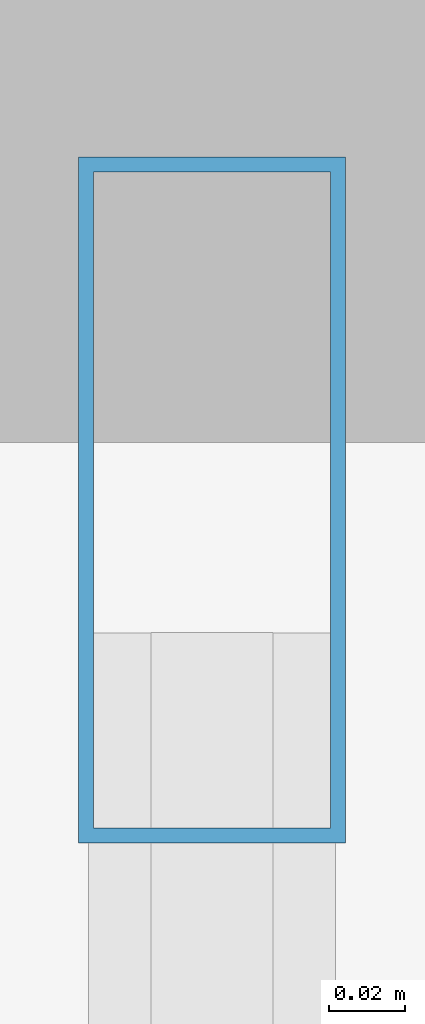
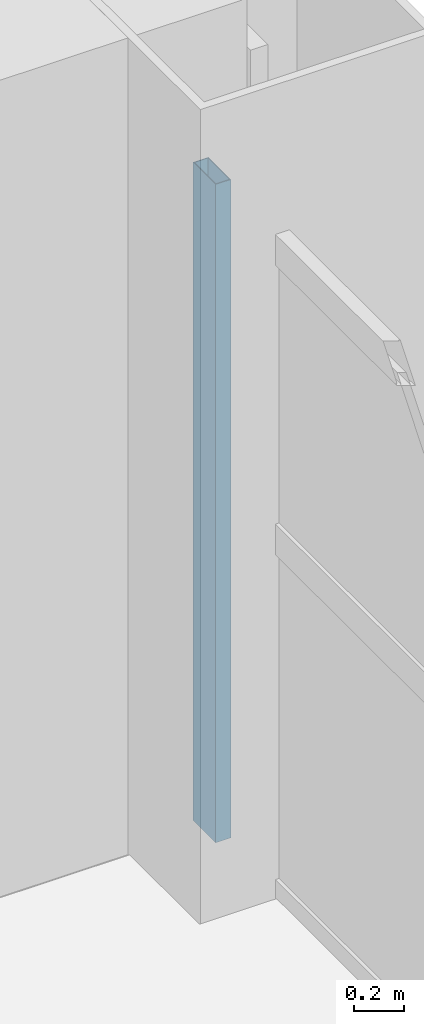
# One storey, part 10 of 16: 1 member, 1 element without a shape of its own.
"""IFC4 building model written with IfcOpenShell, lengths in metres."""

from ifc_helpers import new_model, si_unit, direction, frame, origin, origin_2d, place, context, subcontext, project, spatial, hollow_rectangle, extrude, material, layer, layer_set, material_profile, profile_set, type_object, element, aggregate, save


model = new_model("IFC4")

# Units and contexts
model_context = context("Model", 3, precision=1e-05, world=origin(), true_north=direction((0.0, 1.0)))
body_context = subcontext(model_context, "Body", "Model", "MODEL_VIEW")
ifc_project = project(units=[si_unit("LENGTHUNIT", "METRE"), si_unit("AREAUNIT", "SQUARE_METRE"), si_unit("VOLUMEUNIT", "CUBIC_METRE"), si_unit("PLANEANGLEUNIT", "RADIAN"), si_unit("MASSUNIT", "GRAM", prefix="KILO")], contexts=[model_context])

# Site, building, storey
site_placement = place(None, origin())
site = spatial("IfcSite", under=ifc_project, at=site_placement, CompositionType="ELEMENT")
building_placement = place(site_placement, origin())
building = spatial("IfcBuilding", under=site, at=building_placement, Name="Qianrong Seaharbour Tower", CompositionType="ELEMENT")
storey_placement = place(building_placement, frame((0.0, 0.0, 127.0)))
storey = spatial("IfcBuildingStorey", under=building, at=storey_placement, Name="L30", CompositionType="ELEMENT", Elevation=127.0)

# Curtain wall, member
ifc_material_1 = material(Name="Anodised aluminium 6063-T6 and laminated low-e glass", Category="aluminium")
ifc_layer = layer(ifc_material_1, 0.195068359375)
ifc_layer_set = layer_set([ifc_layer], Name="Anodised aluminium 6063-T6 and laminated low-e glass")
curtain_wall_type = type_object("IfcCurtainWallType", Name="CW-SYS-3", PredefinedType="NOTDEFINED", material=ifc_layer_set)
curtain_wall_placement = place(storey_placement, origin())
curtain_wall = element("IfcCurtainWall", 1, at=curtain_wall_placement, inside=storey, type_object=curtain_wall_type, Name="L30 Sky-Garden Wintergarden Curtain Wall EAST_WING", PredefinedType="NOTDEFINED")
ifc_material_2 = material(Name="Extruded aluminium 6063-T6", Category="aluminium")
ifc_material_profile = material_profile(ifc_material_2, hollow_rectangle(XDim=0.070068359375, YDim=0.179931640625, WallThickness=0.00390625, at=origin_2d()), Name="ALU-MUL-180x70x4")
ifc_profile_set = profile_set([ifc_material_profile], Name="Extruded aluminium 6063-T6")
member_type = type_object("IfcMemberType", Name="CW-MUL-180", PredefinedType="MULLION", material=ifc_profile_set)
member_placement = place(storey_placement, frame((63.830078125, 36.014892578125, 0.0), z_axis=(0.0, 0.0, 1.0), x_axis=(1.0, 0.0, 0.0)))
member = element("IfcMember", 2, at=member_placement, type_object=member_type, Name="CW-3 mullion 1", PredefinedType="MULLION", context=body_context, shape_type="SweptSolid", body=[
    extrude(hollow_rectangle(XDim=0.070068359375, YDim=0.179931640625, WallThickness=0.00390625, at=origin_2d()), origin(), (0.0, 0.0, 1.0), 3.22509765625),
])
aggregate(curtain_wall, [member])

save(model, "model.ifc")
